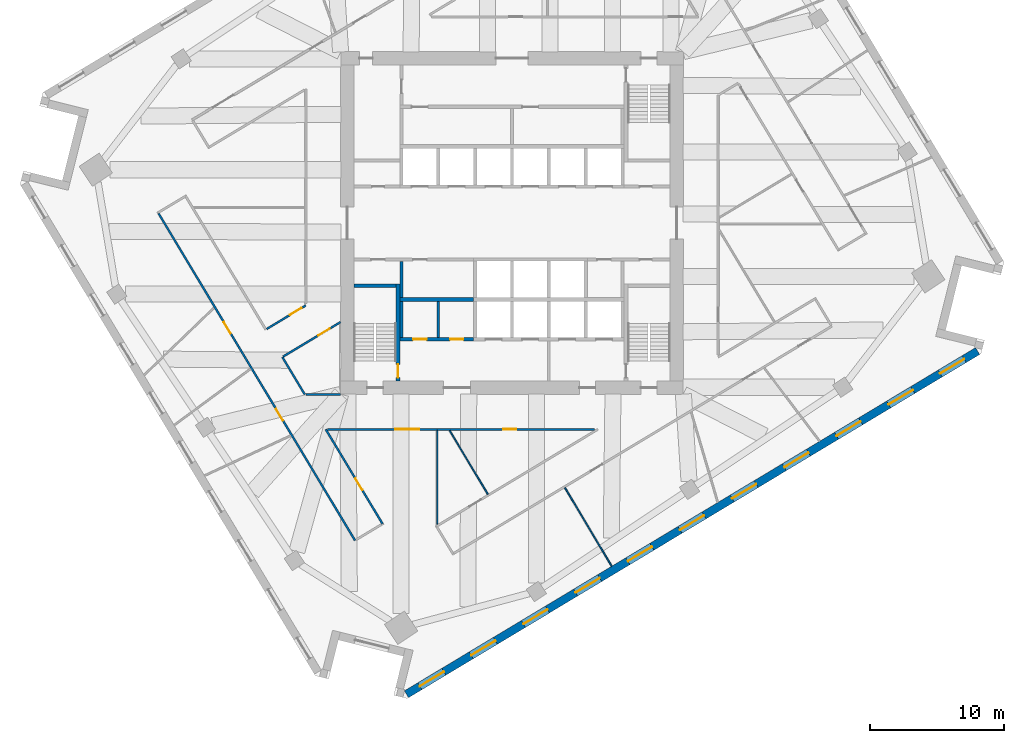
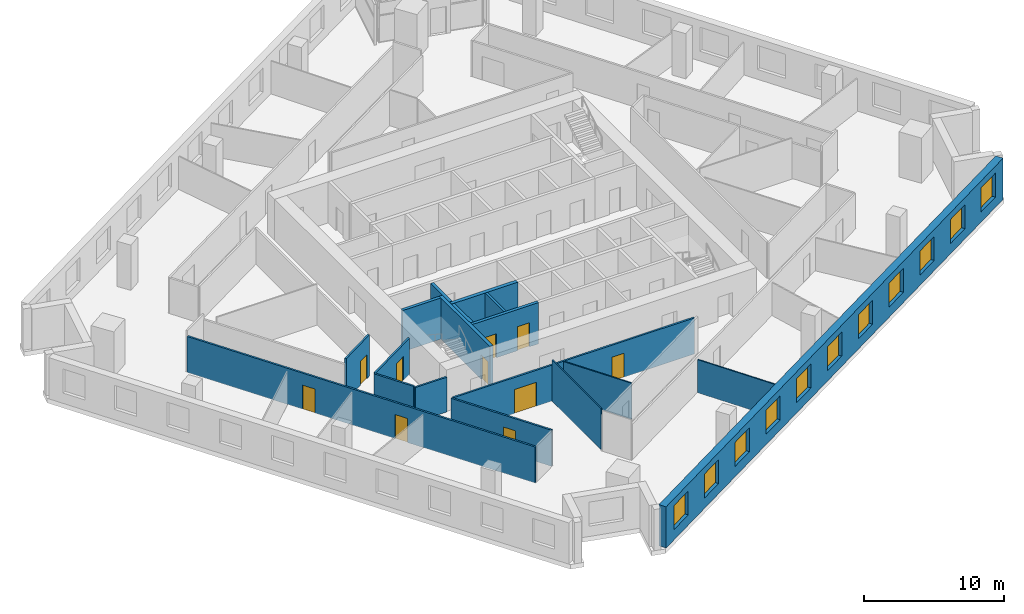
# One storey, part 6 of 14: 18 walls, 11 windows, 10 doors, 21 openings.
"""IFC4 building model written with IfcOpenShell, lengths in metres."""

from ifc_helpers import new_model, si_unit, direction, frame, frame_2d, origin, place, context, subcontext, project, spatial, rectangle, extrude, material, layer, layer_set, type_object, element, fill, save


model = new_model("IFC4")

# Units and contexts
model_context = context("Model", 3, precision=1e-05, world=origin(), true_north=direction((0.0, 1.0)))
body_context = subcontext(model_context, "Body", "Model", "MODEL_VIEW")
ifc_project = project(units=[si_unit("LENGTHUNIT", "METRE"), si_unit("AREAUNIT", "SQUARE_METRE"), si_unit("VOLUMEUNIT", "CUBIC_METRE"), si_unit("PLANEANGLEUNIT", "RADIAN"), si_unit("MASSUNIT", "GRAM", prefix="KILO")], contexts=[model_context])

# Site, building, storey
site_placement = place(None, origin())
site = spatial("IfcSite", under=ifc_project, at=site_placement, CompositionType="ELEMENT")
building_placement = place(site_placement, origin())
building = spatial("IfcBuilding", under=site, at=building_placement, Name="Dilmun Exchange Tower", CompositionType="ELEMENT")
storey_placement = place(building_placement, frame((0.0, 0.0, 147.699951171875)))
storey = spatial("IfcBuildingStorey", under=building, at=storey_placement, Name="L34", CompositionType="ELEMENT", Elevation=147.699951171875)

# Wall
ifc_material_1 = material(Name="Concrete C40/50", Category="concrete")
ifc_layer_1 = layer(ifc_material_1, 0.199951171875)
ifc_layer_set_1 = layer_set([ifc_layer_1], Name="Concrete C40/50")
wall_type_1 = type_object("IfcWallType", Name="Core partition wall 200", PredefinedType="PARTITIONING", material=ifc_layer_set_1)
wall_1_placement = place(storey_placement, frame((-5.5, -8.544921875, 0.0), z_axis=(0.0, 0.0, 1.0), x_axis=(0.0, 1.0, 0.0)))
element("IfcWall", 1, at=wall_1_placement, inside=storey, type_object=wall_type_1, Name="L34 core partition wall 04", PredefinedType="PARTITIONING", context=body_context, shape_type="SweptSolid", body=[
    extrude(rectangle(XDim=2.68994140625, YDim=0.199951171875, at=frame_2d((1.344970703125, 0.0))), origin(), (0.0, 0.0, 1.0), 3.60009765625),
])

# Wall, openings, doors
ifc_layer_2 = layer(ifc_material_1, 0.25)
ifc_layer_set_2 = layer_set([ifc_layer_2], Name="Concrete C40/50")
wall_type_2 = type_object("IfcWallType", Name="Core partition wall 250", PredefinedType="PARTITIONING", material=ifc_layer_set_2)
wall_2_placement = place(storey_placement, frame((-8.3701171875, -8.675048828125, 0.0), z_axis=(0.0, 0.0, 1.0), x_axis=(1.0, 0.0, 0.0)))
wall_2 = element("IfcWall", 2, at=wall_2_placement, inside=storey, type_object=wall_type_2, Name="L34 core partition wall 02", PredefinedType="PARTITIONING", context=body_context, shape_type="SweptSolid", body=[
    extrude(rectangle(XDim=5.490234375, YDim=0.25, at=frame_2d((2.7451171875, 0.0))), origin(), (0.0, 0.0, 1.0), 3.60009765625),
])
opening_1_placement = place(wall_2_placement, frame((0.9951171875, 0.0, 0.0)))
opening_1 = element("IfcOpeningElement", 3, at=opening_1_placement, cuts=wall_2, Name="Opening CD4", PredefinedType="OPENING", context=body_context, shape_type="SweptSolid", body=[
    extrude(rectangle(XDim=1.0, YDim=2.10009765625, at=frame_2d((0.5, 1.050048828125))), frame((0.0, 0.135009765625, 0.0), z_axis=(0.0, -1.0, 0.0), x_axis=(1.0, 0.0, 0.0)), (0.0, 0.0, 1.0), 0.27001953125),
])
opening_2_placement = place(wall_2_placement, frame((3.7451171875, 0.0, 0.0)))
opening_2 = element("IfcOpeningElement", 4, at=opening_2_placement, cuts=wall_2, Name="Opening CD4", PredefinedType="OPENING", context=body_context, shape_type="SweptSolid", body=[
    extrude(rectangle(XDim=1.0, YDim=2.10009765625, at=frame_2d((0.5, 1.050048828125))), frame((0.0, 0.135009765625, 0.0), z_axis=(0.0, -1.0, 0.0), x_axis=(1.0, 0.0, 0.0)), (0.0, 0.0, 1.0), 0.27001953125),
])
ifc_material_2 = material(Name="Fire-rated steel door set", Category="steel")
door_type_1 = type_object("IfcDoorType", Name="Core room door 1000x2100", OperationType="SINGLE_SWING_LEFT", PredefinedType="DOOR", material=ifc_material_2)
door_1_placement = place(opening_1_placement, origin())
door_1 = element("IfcDoor", 5, at=door_1_placement, inside=storey, type_object=door_type_1, Name="L34 door Male WC", OperationType="SINGLE_SWING_LEFT", OverallHeight=2.10009765625, OverallWidth=1.0, PredefinedType="DOOR", context=body_context, shape_type="SweptSolid", body=[
    extrude(rectangle(XDim=1.0, YDim=2.10009765625, at=frame_2d((0.5, 1.050048828125))), frame((0.0, 0.02490234375, 0.0), z_axis=(0.0, -1.0, 0.0), x_axis=(1.0, 0.0, 0.0)), (0.0, 0.0, 1.0), 0.050048828125),
])
fill(opening_1, door_1)
door_2_placement = place(opening_2_placement, origin())
door_2 = element("IfcDoor", 6, at=door_2_placement, inside=storey, type_object=door_type_1, Name="L34 door Female WC", OperationType="SINGLE_SWING_LEFT", OverallHeight=2.10009765625, OverallWidth=1.0, PredefinedType="DOOR", context=body_context, shape_type="SweptSolid", body=[
    extrude(rectangle(XDim=1.0, YDim=2.10009765625, at=frame_2d((0.5, 1.050048828125))), frame((0.0, 0.02490234375, 0.0), z_axis=(0.0, -1.0, 0.0), x_axis=(1.0, 0.0, 0.0)), (0.0, 0.0, 1.0), 0.050048828125),
])
fill(opening_2, door_2)

# Walls
for number, where, z_axis, x_axis, name in (
    (7, (-8.25, -8.544921875, 0.0), (0.0, 0.0, 1.0), (0.0, 1.0, 0.0), "L34 core partition wall 03"),
    (8, (-8.25, -5.544921875, 0.0), (0.0, 0.0, 1.0), (0.0, 1.0, 0.0), "L34 core partition wall 06"),
):
    element("IfcWall", number, at=place(storey_placement, frame(where, z_axis=z_axis, x_axis=x_axis)), inside=storey, type_object=wall_type_2, Name=name, PredefinedType="PARTITIONING", context=body_context, shape_type="SweptSolid", body=[
        extrude(rectangle(XDim=2.68994140625, YDim=0.25, at=frame_2d((1.344970703125, 0.0))), origin(), (0.0, 0.0, 1.0), 3.60009765625),
    ])
ifc_layer_3 = layer(ifc_material_1, 0.300048828125)
ifc_layer_set_3 = layer_set([ifc_layer_3], Name="Concrete C40/50")
wall_type_3 = type_object("IfcWallType", Name="Core partition wall 300", PredefinedType="PARTITIONING", material=ifc_layer_set_3)
wall_3_placement = place(storey_placement, frame((-8.35009765625, -5.699951171875, 0.0), z_axis=(0.0, 0.0, 1.0), x_axis=(1.0, 0.0, 0.0)))
element("IfcWall", 9, at=wall_3_placement, inside=storey, type_object=wall_type_3, Name="L34 core partition wall 05", PredefinedType="PARTITIONING", context=body_context, shape_type="SweptSolid", body=[
    extrude(rectangle(XDim=5.47021484375, YDim=0.300048828125, at=frame_2d((2.735107421875, 0.0))), origin(), (0.0, 0.0, 1.0), 3.60009765625),
])

# Wall, openings, doors
ifc_material_3 = material(Name="Corridor wall 150")
ifc_layer_4 = layer(ifc_material_3, 0.14990234375)
ifc_layer_set_4 = layer_set([ifc_layer_4], Name="Corridor wall 150")
wall_type_4 = type_object("IfcWallType", Name="Corridor wall 150", PredefinedType="PARTITIONING", material=ifc_layer_set_4)
wall_4_placement = place(storey_placement, frame((-26.388427734375, 0.710693359375, 0.0), z_axis=(0.0, 0.0, 1.0), x_axis=(0.515060503771, -0.857153823684, 0.0)))
wall_4 = element("IfcWall", 10, at=wall_4_placement, inside=storey, type_object=wall_type_4, Name="Corridor wall", PredefinedType="PARTITIONING", context=body_context, shape_type="SweptSolid", body=[
    extrude(rectangle(XDim=28.475341796875, YDim=0.14990234375, at=frame_2d((14.23779296875, 0.0))), origin(), (0.0, 0.0, 1.0), 3.150146484375),
])
opening_3_placement = place(wall_4_placement, frame((9.447265625, 0.0, 0.0)))
opening_3 = element("IfcOpeningElement", 11, at=opening_3_placement, cuts=wall_4, Name="Opening TF34-D03", PredefinedType="OPENING", context=body_context, shape_type="SweptSolid", body=[
    extrude(rectangle(XDim=1.0, YDim=2.10009765625, at=frame_2d((0.5, 1.050048828125))), frame((0.0, 0.0849609375, 0.0), z_axis=(0.0, -1.0, 0.0), x_axis=(1.0, 0.0, 0.0)), (0.0, 0.0, 1.0), 0.169921875),
])
opening_4_placement = place(wall_4_placement, frame((17.020751953125, 0.0, 0.0)))
opening_4 = element("IfcOpeningElement", 12, at=opening_4_placement, cuts=wall_4, Name="Opening TF34-D04", PredefinedType="OPENING", context=body_context, shape_type="SweptSolid", body=[
    extrude(rectangle(XDim=1.0, YDim=2.10009765625, at=frame_2d((0.5, 1.050048828125))), frame((0.0, 0.0849609375, 0.0), z_axis=(0.0, -1.0, 0.0), x_axis=(1.0, 0.0, 0.0)), (0.0, 0.0, 1.0), 0.169921875),
])
ifc_material_4 = material(Name="Fire door 1000 x 2100")
door_type_2 = type_object("IfcDoorType", Name="Fire door 1000 x 2100", OperationType="NOTDEFINED", PredefinedType="DOOR", material=ifc_material_4)
door_3_placement = place(opening_3_placement, frame((1.0, 0.0, 0.0), z_axis=(0.0, 0.0, 1.0), x_axis=(-1.0, 0.0, 0.0)))
door_3 = element("IfcDoor", 13, at=door_3_placement, inside=storey, type_object=door_type_2, Name="Door TF34-D03", OperationType="SINGLE_SWING_RIGHT", OverallHeight=2.10009765625, OverallWidth=1.0, PredefinedType="DOOR", context=body_context, shape_type="SweptSolid", body=[
    extrude(rectangle(XDim=1.0, YDim=2.10009765625, at=frame_2d((0.5, 1.050048828125))), frame((0.0, 0.02490234375, 0.0), z_axis=(0.0, -1.0, 0.0), x_axis=(1.0, 0.0, 0.0)), (0.0, 0.0, 1.0), 0.050048828125),
])
fill(opening_3, door_3)
door_4_placement = place(opening_4_placement, frame((1.0, 0.0, 0.0), z_axis=(0.0, 0.0, 1.0), x_axis=(-1.0, 0.0, 0.0)))
door_4 = element("IfcDoor", 14, at=door_4_placement, inside=storey, type_object=door_type_2, Name="Door TF34-D04", OperationType="SINGLE_SWING_LEFT", OverallHeight=2.10009765625, OverallWidth=1.0, PredefinedType="DOOR", context=body_context, shape_type="SweptSolid", body=[
    extrude(rectangle(XDim=1.0, YDim=2.10009765625, at=frame_2d((0.5, 1.050048828125))), frame((0.0, 0.02490234375, 0.0), z_axis=(0.0, -1.0, 0.0), x_axis=(1.0, 0.0, 0.0)), (0.0, 0.0, 1.0), 0.050048828125),
])
fill(opening_4, door_4)

# Wall, opening, door
wall_5_placement = place(storey_placement, frame((-18.32080078125, -7.911376953125, 0.0), z_axis=(0.0, 0.0, 1.0), x_axis=(0.857126069009, 0.51510668975, 0.0)))
wall_5 = element("IfcWall", 15, at=wall_5_placement, inside=storey, type_object=wall_type_4, Name="Corridor wall", PredefinedType="PARTITIONING", context=body_context, shape_type="SweptSolid", body=[
    extrude(rectangle(XDim=3.40771484375, YDim=0.14990234375, at=frame_2d((1.703857421875, 0.0))), origin(), (0.0, 0.0, 1.0), 3.60009765625),
])
opening_5_placement = place(wall_5_placement, frame((2.050048828125, 0.0, 0.0)))
opening_5 = element("IfcOpeningElement", 16, at=opening_5_placement, cuts=wall_5, Name="Opening TF34-D05", PredefinedType="OPENING", context=body_context, shape_type="SweptSolid", body=[
    extrude(rectangle(XDim=1.0, YDim=2.10009765625, at=frame_2d((0.5, 1.050048828125))), frame((0.0, 0.0849609375, 0.0), z_axis=(0.0, -1.0, 0.0), x_axis=(1.0, 0.0, 0.0)), (0.0, 0.0, 1.0), 0.169921875),
])
door_5_placement = place(opening_5_placement, origin())
door_5 = element("IfcDoor", 17, at=door_5_placement, inside=storey, type_object=door_type_2, Name="Door TF34-D05", OperationType="SINGLE_SWING_LEFT", OverallHeight=2.10009765625, OverallWidth=1.0, PredefinedType="DOOR", context=body_context, shape_type="SweptSolid", body=[
    extrude(rectangle(XDim=1.0, YDim=2.10009765625, at=frame_2d((0.5, 1.050048828125))), frame((0.0, 0.02490234375, 0.0), z_axis=(0.0, -1.0, 0.0), x_axis=(1.0, 0.0, 0.0)), (0.0, 0.0, 1.0), 0.050048828125),
])
fill(opening_5, door_5)

# Wall
wall_6_placement = place(storey_placement, frame((-17.14892578125, -10.007080078125, 0.0), z_axis=(0.0, 0.0, 1.0), x_axis=(0.515211704808, -0.857062949397, 0.0)))
element("IfcWall", 18, at=wall_6_placement, inside=storey, type_object=wall_type_4, Name="Corridor wall", PredefinedType="PARTITIONING", context=body_context, shape_type="SweptSolid", body=[
    extrude(rectangle(XDim=3.2587890625, YDim=0.14990234375, at=frame_2d((1.62939453125, 0.0))), origin(), (0.0, 0.0, 1.0), 3.150146484375),
])

# Wall, opening, door
wall_7_placement = place(storey_placement, frame((-17.084716796875, -9.968505859375, 0.0), z_axis=(0.0, 0.0, 1.0), x_axis=(0.857169540237, 0.515034347681, 0.0)))
wall_7 = element("IfcWall", 19, at=wall_7_placement, inside=storey, type_object=wall_type_4, Name="Corridor wall", PredefinedType="PARTITIONING", context=body_context, shape_type="SweptSolid", body=[
    extrude(rectangle(XDim=4.99853515625, YDim=0.14990234375, at=frame_2d((2.499267578125, 0.0))), origin(), (0.0, 0.0, 1.0), 3.150146484375),
])
opening_6_placement = place(wall_7_placement, frame((3.050048828125, 0.0, 0.0)))
opening_6 = element("IfcOpeningElement", 20, at=opening_6_placement, cuts=wall_7, Name="Opening TF34-D06", PredefinedType="OPENING", context=body_context, shape_type="SweptSolid", body=[
    extrude(rectangle(XDim=1.0, YDim=2.10009765625, at=frame_2d((0.5, 1.050048828125))), frame((0.0, 0.0849609375, 0.0), z_axis=(0.0, -1.0, 0.0), x_axis=(1.0, 0.0, 0.0)), (0.0, 0.0, 1.0), 0.169921875),
])
door_6_placement = place(opening_6_placement, frame((1.0, 0.0, 0.0), z_axis=(0.0, 0.0, 1.0), x_axis=(-1.0, 0.0, 0.0)))
door_6 = element("IfcDoor", 21, at=door_6_placement, inside=storey, type_object=door_type_2, Name="Door TF34-D06", OperationType="SINGLE_SWING_RIGHT", OverallHeight=2.10009765625, OverallWidth=1.0, PredefinedType="DOOR", context=body_context, shape_type="SweptSolid", body=[
    extrude(rectangle(XDim=1.0, YDim=2.10009765625, at=frame_2d((0.5, 1.050048828125))), frame((0.0, 0.02490234375, 0.0), z_axis=(0.0, -1.0, 0.0), x_axis=(1.0, 0.0, 0.0)), (0.0, 0.0, 1.0), 0.050048828125),
])
fill(opening_6, door_6)

# Wall
wall_8_placement = place(storey_placement, frame((-15.39990234375, -12.800048828125, 0.0), z_axis=(0.0, 0.0, 1.0), x_axis=(1.0, 0.0, 0.0)))
element("IfcWall", 22, at=wall_8_placement, inside=storey, type_object=wall_type_4, Name="Corridor wall", PredefinedType="PARTITIONING", context=body_context, shape_type="SweptSolid", body=[
    extrude(rectangle(XDim=2.599853515625, YDim=0.14990234375, at=frame_2d((1.2998046875, 0.0))), origin(), (0.0, 0.0, 1.0), 3.030029296875),
])

# Wall, opening, door
wall_9_placement = place(storey_placement, frame((-13.907958984375, -15.39990234375, 0.0), z_axis=(0.0, 0.0, 1.0), x_axis=(0.515057872285, -0.857155404928, 0.0)))
wall_9 = element("IfcWall", 23, at=wall_9_placement, inside=storey, type_object=wall_type_4, Name="Corridor wall", PredefinedType="PARTITIONING", context=body_context, shape_type="SweptSolid", body=[
    extrude(rectangle(XDim=8.23779296875, YDim=0.14990234375, at=frame_2d((4.118896484375, 0.0))), origin(), (0.0, 0.0, 1.0), 3.150146484375),
])
opening_7_placement = place(wall_9_placement, frame((4.300048828125, 0.0, 0.0)))
opening_7 = element("IfcOpeningElement", 24, at=opening_7_placement, cuts=wall_9, Name="Opening TF34-D09", PredefinedType="OPENING", context=body_context, shape_type="SweptSolid", body=[
    extrude(rectangle(XDim=1.0, YDim=2.10009765625, at=frame_2d((0.5, 1.050048828125))), frame((0.0, 0.0849609375, 0.0), z_axis=(0.0, -1.0, 0.0), x_axis=(1.0, 0.0, 0.0)), (0.0, 0.0, 1.0), 0.169921875),
])
door_7_placement = place(opening_7_placement, origin())
door_7 = element("IfcDoor", 25, at=door_7_placement, inside=storey, type_object=door_type_2, Name="Door TF34-D09", OperationType="SINGLE_SWING_LEFT", OverallHeight=2.10009765625, OverallWidth=1.0, PredefinedType="DOOR", context=body_context, shape_type="SweptSolid", body=[
    extrude(rectangle(XDim=1.0, YDim=2.10009765625, at=frame_2d((0.5, 1.050048828125))), frame((0.0, 0.02490234375, 0.0), z_axis=(0.0, -1.0, 0.0), x_axis=(1.0, 0.0, 0.0)), (0.0, 0.0, 1.0), 0.050048828125),
])
fill(opening_7, door_7)

# Wall, openings, doors
wall_10_placement = place(storey_placement, frame((-13.775390625, -15.39990234375, 0.0), z_axis=(0.0, 0.0, 1.0), x_axis=(1.0, 0.0, 0.0)))
wall_10 = element("IfcWall", 26, at=wall_10_placement, inside=storey, type_object=wall_type_4, Name="Corridor wall", PredefinedType="PARTITIONING", context=body_context, shape_type="SweptSolid", body=[
    extrude(rectangle(XDim=19.9169921875, YDim=0.14990234375, at=frame_2d((9.95849609375, 0.0))), origin(), (0.0, 0.0, 1.0), 3.150146484375),
])
opening_8_placement = place(wall_10_placement, frame((5.050048828125, 0.0, 0.0)))
opening_8 = element("IfcOpeningElement", 27, at=opening_8_placement, cuts=wall_10, Name="Opening TF34-D08", PredefinedType="OPENING", context=body_context, shape_type="SweptSolid", body=[
    extrude(rectangle(XDim=1.800048828125, YDim=2.10009765625, at=frame_2d((0.89990234375, 1.050048828125))), frame((0.0, 0.0849609375, 0.0), z_axis=(0.0, -1.0, 0.0), x_axis=(1.0, 0.0, 0.0)), (0.0, 0.0, 1.0), 0.169921875),
])
opening_9_placement = place(wall_10_placement, frame((13.1103515625, 0.0, 0.0)))
opening_9 = element("IfcOpeningElement", 28, at=opening_9_placement, cuts=wall_10, Name="Opening TF34-D13", PredefinedType="OPENING", context=body_context, shape_type="SweptSolid", body=[
    extrude(rectangle(XDim=1.0, YDim=2.10009765625, at=frame_2d((0.5, 1.050048828125))), frame((0.0, 0.0849609375, 0.0), z_axis=(0.0, -1.0, 0.0), x_axis=(1.0, 0.0, 0.0)), (0.0, 0.0, 1.0), 0.169921875),
])
door_8_placement = place(opening_9_placement, frame((1.0, 0.0, 0.0), z_axis=(0.0, 0.0, 1.0), x_axis=(-1.0, 0.0, 0.0)))
door_8 = element("IfcDoor", 29, at=door_8_placement, inside=storey, type_object=door_type_2, Name="Door TF34-D13", OperationType="SINGLE_SWING_LEFT", OverallHeight=2.10009765625, OverallWidth=1.0, PredefinedType="DOOR", context=body_context, shape_type="SweptSolid", body=[
    extrude(rectangle(XDim=1.0, YDim=2.10009765625, at=frame_2d((0.5, 1.050048828125))), frame((0.0, 0.02490234375, 0.0), z_axis=(0.0, -1.0, 0.0), x_axis=(1.0, 0.0, 0.0)), (0.0, 0.0, 1.0), 0.050048828125),
])
fill(opening_9, door_8)
ifc_material_5 = material(Name="Fire door pair 1800 x 2100")
door_type_3 = type_object("IfcDoorType", Name="Fire door pair 1800 x 2100", OperationType="NOTDEFINED", PredefinedType="DOOR", material=ifc_material_5)
door_9_placement = place(opening_8_placement, frame((1.800048828125, 0.0, 0.0), z_axis=(0.0, 0.0, 1.0), x_axis=(-1.0, 0.0, 0.0)))
door_9 = element("IfcDoor", 30, at=door_9_placement, inside=storey, type_object=door_type_3, Name="Door TF34-D08", OperationType="DOUBLE_DOOR_SINGLE_SWING", OverallHeight=2.10009765625, OverallWidth=1.800048828125, PredefinedType="DOOR", context=body_context, shape_type="SweptSolid", body=[
    extrude(rectangle(XDim=1.800048828125, YDim=2.10009765625, at=frame_2d((0.89990234375, 1.050048828125))), frame((0.0, 0.02490234375, 0.0), z_axis=(0.0, -1.0, 0.0), x_axis=(1.0, 0.0, 0.0)), (0.0, 0.0, 1.0), 0.050048828125),
])
fill(opening_8, door_9)

# Walls
ifc_material_6 = material(Name="Partition 100")
ifc_layer_5 = layer(ifc_material_6, 0.10009765625)
ifc_layer_set_5 = layer_set([ifc_layer_5], Name="Partition 100")
wall_type_5 = type_object("IfcWallType", Name="Partition 100", PredefinedType="PARTITIONING", material=ifc_layer_set_5)
wall_11_placement = place(storey_placement, frame((-5.5830078125, -22.489501953125, 0.0), z_axis=(0.0, 0.0, 1.0), x_axis=(0.0, 1.0, 0.0)))
element("IfcWall", 31, at=wall_11_placement, inside=storey, type_object=wall_type_5, Name="Partition", PredefinedType="PARTITIONING", context=body_context, shape_type="SweptSolid", body=[
    extrude(rectangle(XDim=7.014404296875, YDim=0.10009765625, at=frame_2d((3.50732421875, 0.0))), origin(), (0.0, 0.0, 1.0), 3.60009765625),
])
wall_12_placement = place(storey_placement, frame((-4.654296875, -15.500732421875, 0.0), z_axis=(0.0, 0.0, 1.0), x_axis=(0.515098514844, -0.857130981826, 0.0)))
element("IfcWall", 32, at=wall_12_placement, inside=storey, type_object=wall_type_5, Name="Partition", PredefinedType="PARTITIONING", context=body_context, shape_type="SweptSolid", body=[
    extrude(rectangle(XDim=5.538330078125, YDim=0.10009765625, at=frame_2d((2.76904296875, 0.0))), origin(), (0.0, 0.0, 1.0), 3.150146484375),
])
wall_13_placement = place(storey_placement, frame((3.95458984375, -19.7646484375, 0.0), z_axis=(0.0, 0.0, 1.0), x_axis=(0.511760762336, -0.859128001018, 0.0)))
element("IfcWall", 33, at=wall_13_placement, inside=storey, type_object=wall_type_5, Name="Partition", PredefinedType="PARTITIONING", context=body_context, shape_type="SweptSolid", body=[
    extrude(rectangle(XDim=6.819580078125, YDim=0.10009765625, at=frame_2d((3.40966796875, 0.0))), origin(), (0.0, 0.0, 1.0), 2.900146484375),
])

# Wall, openings, windows
ifc_material_7 = material(Name="Precast concrete C50/60", Category="concrete")
ifc_layer_6 = layer(ifc_material_7, 0.60009765625)
ifc_layer_set_6 = layer_set([ifc_layer_6], Name="Precast concrete C50/60")
wall_type_6 = type_object("IfcWallType", Name="Precast stone-clad wall 600", PredefinedType="STANDARD", material=ifc_layer_set_6)
wall_14_placement = place(storey_placement, frame((-7.880126953125, -35.18408203125, 0.0), z_axis=(0.0, 0.0, 1.0), x_axis=(0.857165846238, 0.515040495536, 0.0)))
wall_14 = element("IfcWall", 34, at=wall_14_placement, inside=storey, type_object=wall_type_6, Name="Facade wall L34-15", PredefinedType="STANDARD", context=body_context, shape_type="SweptSolid", body=[
    extrude(rectangle(XDim=49.75146484375, YDim=0.60009765625, at=frame_2d((24.875732421875, 0.0))), origin(), (0.0, 0.0, 1.0), 3.60009765625),
])
opening_10_placement = place(wall_14_placement, frame((1.16064453125, 0.0, 0.89990234375)))
opening_10 = element("IfcOpeningElement", 35, at=opening_10_placement, cuts=wall_14, Name="Opening W210-210", PredefinedType="OPENING", context=body_context, shape_type="SweptSolid", body=[
    extrude(rectangle(XDim=2.10009765625, YDim=2.10009765625, at=frame_2d((1.050048828125, 1.050048828125))), frame((0.0, 0.31005859375, 0.0), z_axis=(0.0, -1.0, 0.0), x_axis=(1.0, 0.0, 0.0)), (0.0, 0.0, 1.0), 0.6201171875),
])
opening_11_placement = place(wall_14_placement, frame((5.643798828125, 0.0, 0.89990234375)))
opening_11 = element("IfcOpeningElement", 36, at=opening_11_placement, cuts=wall_14, Name="Opening W210-210", PredefinedType="OPENING", context=body_context, shape_type="SweptSolid", body=[
    extrude(rectangle(XDim=2.10009765625, YDim=2.10009765625, at=frame_2d((1.050048828125, 1.050048828125))), frame((0.0, 0.31005859375, 0.0), z_axis=(0.0, -1.0, 0.0), x_axis=(1.0, 0.0, 0.0)), (0.0, 0.0, 1.0), 0.6201171875),
])
opening_12_placement = place(wall_14_placement, frame((10.189453125, 0.0, 0.89990234375)))
opening_12 = element("IfcOpeningElement", 37, at=opening_12_placement, cuts=wall_14, Name="Opening W210-210", PredefinedType="OPENING", context=body_context, shape_type="SweptSolid", body=[
    extrude(rectangle(XDim=2.10009765625, YDim=2.10009765625, at=frame_2d((1.050048828125, 1.050048828125))), frame((0.0, 0.31005859375, 0.0), z_axis=(0.0, -1.0, 0.0), x_axis=(1.0, 0.0, 0.0)), (0.0, 0.0, 1.0), 0.6201171875),
])
opening_13_placement = place(wall_14_placement, frame((14.73486328125, 0.0, 0.89990234375)))
opening_13 = element("IfcOpeningElement", 38, at=opening_13_placement, cuts=wall_14, Name="Opening W210-210", PredefinedType="OPENING", context=body_context, shape_type="SweptSolid", body=[
    extrude(rectangle(XDim=2.10009765625, YDim=2.10009765625, at=frame_2d((1.050048828125, 1.050048828125))), frame((0.0, 0.31005859375, 0.0), z_axis=(0.0, -1.0, 0.0), x_axis=(1.0, 0.0, 0.0)), (0.0, 0.0, 1.0), 0.6201171875),
])
opening_14_placement = place(wall_14_placement, frame((19.2802734375, 0.0, 0.89990234375)))
opening_14 = element("IfcOpeningElement", 39, at=opening_14_placement, cuts=wall_14, Name="Opening W210-210", PredefinedType="OPENING", context=body_context, shape_type="SweptSolid", body=[
    extrude(rectangle(XDim=2.10009765625, YDim=2.10009765625, at=frame_2d((1.050048828125, 1.050048828125))), frame((0.0, 0.31005859375, 0.0), z_axis=(0.0, -1.0, 0.0), x_axis=(1.0, 0.0, 0.0)), (0.0, 0.0, 1.0), 0.6201171875),
])
opening_15_placement = place(wall_14_placement, frame((23.82568359375, 0.0, 0.89990234375)))
opening_15 = element("IfcOpeningElement", 40, at=opening_15_placement, cuts=wall_14, Name="Opening W210-210", PredefinedType="OPENING", context=body_context, shape_type="SweptSolid", body=[
    extrude(rectangle(XDim=2.10009765625, YDim=2.10009765625, at=frame_2d((1.050048828125, 1.050048828125))), frame((0.0, 0.31005859375, 0.0), z_axis=(0.0, -1.0, 0.0), x_axis=(1.0, 0.0, 0.0)), (0.0, 0.0, 1.0), 0.6201171875),
])
opening_16_placement = place(wall_14_placement, frame((28.37109375, 0.0, 0.89990234375)))
opening_16 = element("IfcOpeningElement", 41, at=opening_16_placement, cuts=wall_14, Name="Opening W210-210", PredefinedType="OPENING", context=body_context, shape_type="SweptSolid", body=[
    extrude(rectangle(XDim=2.10009765625, YDim=2.10009765625, at=frame_2d((1.050048828125, 1.050048828125))), frame((0.0, 0.31005859375, 0.0), z_axis=(0.0, -1.0, 0.0), x_axis=(1.0, 0.0, 0.0)), (0.0, 0.0, 1.0), 0.6201171875),
])
opening_17_placement = place(wall_14_placement, frame((32.91650390625, 0.0, 0.89990234375)))
opening_17 = element("IfcOpeningElement", 42, at=opening_17_placement, cuts=wall_14, Name="Opening W210-210", PredefinedType="OPENING", context=body_context, shape_type="SweptSolid", body=[
    extrude(rectangle(XDim=2.10009765625, YDim=2.10009765625, at=frame_2d((1.050048828125, 1.050048828125))), frame((0.0, 0.31005859375, 0.0), z_axis=(0.0, -1.0, 0.0), x_axis=(1.0, 0.0, 0.0)), (0.0, 0.0, 1.0), 0.6201171875),
])
opening_18_placement = place(wall_14_placement, frame((37.462158203125, 0.0, 0.89990234375)))
opening_18 = element("IfcOpeningElement", 43, at=opening_18_placement, cuts=wall_14, Name="Opening W210-210", PredefinedType="OPENING", context=body_context, shape_type="SweptSolid", body=[
    extrude(rectangle(XDim=2.10009765625, YDim=2.10009765625, at=frame_2d((1.050048828125, 1.050048828125))), frame((0.0, 0.31005859375, 0.0), z_axis=(0.0, -1.0, 0.0), x_axis=(1.0, 0.0, 0.0)), (0.0, 0.0, 1.0), 0.6201171875),
])
opening_19_placement = place(wall_14_placement, frame((42.007568359375, 0.0, 0.89990234375)))
opening_19 = element("IfcOpeningElement", 44, at=opening_19_placement, cuts=wall_14, Name="Opening W210-210", PredefinedType="OPENING", context=body_context, shape_type="SweptSolid", body=[
    extrude(rectangle(XDim=2.10009765625, YDim=2.10009765625, at=frame_2d((1.050048828125, 1.050048828125))), frame((0.0, 0.31005859375, 0.0), z_axis=(0.0, -1.0, 0.0), x_axis=(1.0, 0.0, 0.0)), (0.0, 0.0, 1.0), 0.6201171875),
])
opening_20_placement = place(wall_14_placement, frame((46.490966796875, 0.0, 0.89990234375)))
opening_20 = element("IfcOpeningElement", 45, at=opening_20_placement, cuts=wall_14, Name="Opening W210-210", PredefinedType="OPENING", context=body_context, shape_type="SweptSolid", body=[
    extrude(rectangle(XDim=2.10009765625, YDim=2.10009765625, at=frame_2d((1.050048828125, 1.050048828125))), frame((0.0, 0.31005859375, 0.0), z_axis=(0.0, -1.0, 0.0), x_axis=(1.0, 0.0, 0.0)), (0.0, 0.0, 1.0), 0.6201171875),
])
ifc_material_8 = material(Name="Clear low-emissivity glass in aluminium frame", Category="aluminium")
window_type = type_object("IfcWindowType", Name="Punched window 2100 x 2100", PartitioningType="DOUBLE_PANEL_VERTICAL", PredefinedType="WINDOW", material=ifc_material_8)
window_1_placement = place(opening_10_placement, origin())
window_1 = element("IfcWindow", 46, at=window_1_placement, inside=storey, type_object=window_type, Name="Window 16.1", OverallHeight=2.10009765625, OverallWidth=2.10009765625, PartitioningType="SINGLE_PANEL", PredefinedType="WINDOW", context=body_context, shape_type="SweptSolid", body=[
    extrude(rectangle(XDim=2.10009765625, YDim=2.10009765625, at=frame_2d((1.050048828125, 1.050048828125))), frame((0.0, 0.030029296875, 0.0), z_axis=(0.0, -1.0, 0.0), x_axis=(1.0, 0.0, 0.0)), (0.0, 0.0, 1.0), 0.06005859375),
])
fill(opening_10, window_1)
window_2_placement = place(opening_11_placement, origin())
window_2 = element("IfcWindow", 47, at=window_2_placement, inside=storey, type_object=window_type, Name="Window 16.2", OverallHeight=2.10009765625, OverallWidth=2.10009765625, PartitioningType="SINGLE_PANEL", PredefinedType="WINDOW", context=body_context, shape_type="SweptSolid", body=[
    extrude(rectangle(XDim=2.10009765625, YDim=2.10009765625, at=frame_2d((1.050048828125, 1.050048828125))), frame((0.0, 0.030029296875, 0.0), z_axis=(0.0, -1.0, 0.0), x_axis=(1.0, 0.0, 0.0)), (0.0, 0.0, 1.0), 0.06005859375),
])
fill(opening_11, window_2)
window_3_placement = place(opening_12_placement, origin())
window_3 = element("IfcWindow", 48, at=window_3_placement, inside=storey, type_object=window_type, Name="Window 16.3", OverallHeight=2.10009765625, OverallWidth=2.10009765625, PartitioningType="SINGLE_PANEL", PredefinedType="WINDOW", context=body_context, shape_type="SweptSolid", body=[
    extrude(rectangle(XDim=2.10009765625, YDim=2.10009765625, at=frame_2d((1.050048828125, 1.050048828125))), frame((0.0, 0.030029296875, 0.0), z_axis=(0.0, -1.0, 0.0), x_axis=(1.0, 0.0, 0.0)), (0.0, 0.0, 1.0), 0.06005859375),
])
fill(opening_12, window_3)
window_4_placement = place(opening_13_placement, origin())
window_4 = element("IfcWindow", 49, at=window_4_placement, inside=storey, type_object=window_type, Name="Window 16.4", OverallHeight=2.10009765625, OverallWidth=2.10009765625, PartitioningType="SINGLE_PANEL", PredefinedType="WINDOW", context=body_context, shape_type="SweptSolid", body=[
    extrude(rectangle(XDim=2.10009765625, YDim=2.10009765625, at=frame_2d((1.050048828125, 1.050048828125))), frame((0.0, 0.030029296875, 0.0), z_axis=(0.0, -1.0, 0.0), x_axis=(1.0, 0.0, 0.0)), (0.0, 0.0, 1.0), 0.06005859375),
])
fill(opening_13, window_4)
window_5_placement = place(opening_14_placement, origin())
window_5 = element("IfcWindow", 50, at=window_5_placement, inside=storey, type_object=window_type, Name="Window 16.5", OverallHeight=2.10009765625, OverallWidth=2.10009765625, PartitioningType="SINGLE_PANEL", PredefinedType="WINDOW", context=body_context, shape_type="SweptSolid", body=[
    extrude(rectangle(XDim=2.10009765625, YDim=2.10009765625, at=frame_2d((1.050048828125, 1.050048828125))), frame((0.0, 0.030029296875, 0.0), z_axis=(0.0, -1.0, 0.0), x_axis=(1.0, 0.0, 0.0)), (0.0, 0.0, 1.0), 0.06005859375),
])
fill(opening_14, window_5)
window_6_placement = place(opening_15_placement, origin())
window_6 = element("IfcWindow", 51, at=window_6_placement, inside=storey, type_object=window_type, Name="Window 16.6", OverallHeight=2.10009765625, OverallWidth=2.10009765625, PartitioningType="SINGLE_PANEL", PredefinedType="WINDOW", context=body_context, shape_type="SweptSolid", body=[
    extrude(rectangle(XDim=2.10009765625, YDim=2.10009765625, at=frame_2d((1.050048828125, 1.050048828125))), frame((0.0, 0.030029296875, 0.0), z_axis=(0.0, -1.0, 0.0), x_axis=(1.0, 0.0, 0.0)), (0.0, 0.0, 1.0), 0.06005859375),
])
fill(opening_15, window_6)
window_7_placement = place(opening_16_placement, origin())
window_7 = element("IfcWindow", 52, at=window_7_placement, inside=storey, type_object=window_type, Name="Window 16.7", OverallHeight=2.10009765625, OverallWidth=2.10009765625, PartitioningType="SINGLE_PANEL", PredefinedType="WINDOW", context=body_context, shape_type="SweptSolid", body=[
    extrude(rectangle(XDim=2.10009765625, YDim=2.10009765625, at=frame_2d((1.050048828125, 1.050048828125))), frame((0.0, 0.030029296875, 0.0), z_axis=(0.0, -1.0, 0.0), x_axis=(1.0, 0.0, 0.0)), (0.0, 0.0, 1.0), 0.06005859375),
])
fill(opening_16, window_7)
window_8_placement = place(opening_17_placement, origin())
window_8 = element("IfcWindow", 53, at=window_8_placement, inside=storey, type_object=window_type, Name="Window 16.8", OverallHeight=2.10009765625, OverallWidth=2.10009765625, PartitioningType="SINGLE_PANEL", PredefinedType="WINDOW", context=body_context, shape_type="SweptSolid", body=[
    extrude(rectangle(XDim=2.10009765625, YDim=2.10009765625, at=frame_2d((1.050048828125, 1.050048828125))), frame((0.0, 0.030029296875, 0.0), z_axis=(0.0, -1.0, 0.0), x_axis=(1.0, 0.0, 0.0)), (0.0, 0.0, 1.0), 0.06005859375),
])
fill(opening_17, window_8)
window_9_placement = place(opening_18_placement, origin())
window_9 = element("IfcWindow", 54, at=window_9_placement, inside=storey, type_object=window_type, Name="Window 16.9", OverallHeight=2.10009765625, OverallWidth=2.10009765625, PartitioningType="SINGLE_PANEL", PredefinedType="WINDOW", context=body_context, shape_type="SweptSolid", body=[
    extrude(rectangle(XDim=2.10009765625, YDim=2.10009765625, at=frame_2d((1.050048828125, 1.050048828125))), frame((0.0, 0.030029296875, 0.0), z_axis=(0.0, -1.0, 0.0), x_axis=(1.0, 0.0, 0.0)), (0.0, 0.0, 1.0), 0.06005859375),
])
fill(opening_18, window_9)
window_10_placement = place(opening_19_placement, origin())
window_10 = element("IfcWindow", 55, at=window_10_placement, inside=storey, type_object=window_type, Name="Window 16.10", OverallHeight=2.10009765625, OverallWidth=2.10009765625, PartitioningType="SINGLE_PANEL", PredefinedType="WINDOW", context=body_context, shape_type="SweptSolid", body=[
    extrude(rectangle(XDim=2.10009765625, YDim=2.10009765625, at=frame_2d((1.050048828125, 1.050048828125))), frame((0.0, 0.030029296875, 0.0), z_axis=(0.0, -1.0, 0.0), x_axis=(1.0, 0.0, 0.0)), (0.0, 0.0, 1.0), 0.06005859375),
])
fill(opening_19, window_10)
window_11_placement = place(opening_20_placement, origin())
window_11 = element("IfcWindow", 56, at=window_11_placement, inside=storey, type_object=window_type, Name="Window 16.11", OverallHeight=2.10009765625, OverallWidth=2.10009765625, PartitioningType="SINGLE_PANEL", PredefinedType="WINDOW", context=body_context, shape_type="SweptSolid", body=[
    extrude(rectangle(XDim=2.10009765625, YDim=2.10009765625, at=frame_2d((1.050048828125, 1.050048828125))), frame((0.0, 0.030029296875, 0.0), z_axis=(0.0, -1.0, 0.0), x_axis=(1.0, 0.0, 0.0)), (0.0, 0.0, 1.0), 0.06005859375),
])
fill(opening_20, window_11)

# Wall
ifc_layer_7 = layer(ifc_material_1, 0.25)
ifc_layer_set_7 = layer_set([ifc_layer_7], Name="Concrete C40/50")
wall_type_7 = type_object("IfcWallType", Name="Stair end wall 250", PredefinedType="SOLIDWALL", material=ifc_layer_set_7)
wall_15_placement = place(storey_placement, frame((-8.64990234375, -4.675048828125, 0.0), z_axis=(0.0, 0.0, 1.0), x_axis=(-1.0, 0.0, 0.0)))
element("IfcWall", 57, at=wall_15_placement, inside=storey, type_object=wall_type_7, Name="L34 ST2 far wall", PredefinedType="SOLIDWALL", context=body_context, shape_type="SweptSolid", body=[
    extrude(rectangle(XDim=3.150146484375, YDim=0.25, at=frame_2d((1.5751953125, 0.0))), origin(), (0.0, 0.0, 1.0), 3.60009765625),
])

# Wall, opening, door
ifc_layer_8 = layer(ifc_material_1, 0.27490234375)
ifc_layer_set_8 = layer_set([ifc_layer_8], Name="Concrete C40/50")
wall_type_8 = type_object("IfcWallType", Name="Stair wall 275", PredefinedType="SOLIDWALL", material=ifc_layer_set_8)
wall_16_placement = place(storey_placement, frame((-8.512451171875, -4.550048828125, 0.0), z_axis=(0.0, 0.0, 1.0), x_axis=(0.0, -1.0, 0.0)))
wall_16 = element("IfcWall", 58, at=wall_16_placement, inside=storey, type_object=wall_type_8, Name="L34 ST2 wall to lift block", PredefinedType="SOLIDWALL", context=body_context, shape_type="SweptSolid", body=[
    extrude(rectangle(XDim=7.25, YDim=0.27490234375, at=frame_2d((3.625, 0.0))), origin(), (0.0, 0.0, 1.0), 3.60009765625),
])
opening_21_placement = place(wall_16_placement, frame((6.0, 0.0, 0.0)))
opening_21 = element("IfcOpeningElement", 59, at=opening_21_placement, cuts=wall_16, Name="Opening CD4", PredefinedType="OPENING", context=body_context, shape_type="SweptSolid", body=[
    extrude(rectangle(XDim=1.0, YDim=2.10009765625, at=frame_2d((0.5, 1.050048828125))), frame((0.0, 0.1474609375, 0.0), z_axis=(0.0, -1.0, 0.0), x_axis=(1.0, 0.0, 0.0)), (0.0, 0.0, 1.0), 0.294921875),
])
door_10_placement = place(opening_21_placement, origin())
door_10 = element("IfcDoor", 60, at=door_10_placement, inside=storey, type_object=door_type_1, Name="L34 door ST2 from lobby", OperationType="SINGLE_SWING_LEFT", OverallHeight=2.10009765625, OverallWidth=1.0, PredefinedType="DOOR", context=body_context, shape_type="SweptSolid", body=[
    extrude(rectangle(XDim=1.0, YDim=2.10009765625, at=frame_2d((0.5, 1.050048828125))), frame((0.0, 0.02490234375, 0.0), z_axis=(0.0, -1.0, 0.0), x_axis=(1.0, 0.0, 0.0)), (0.0, 0.0, 1.0), 0.050048828125),
])
fill(opening_21, door_10)

save(model, "model.ifc")
